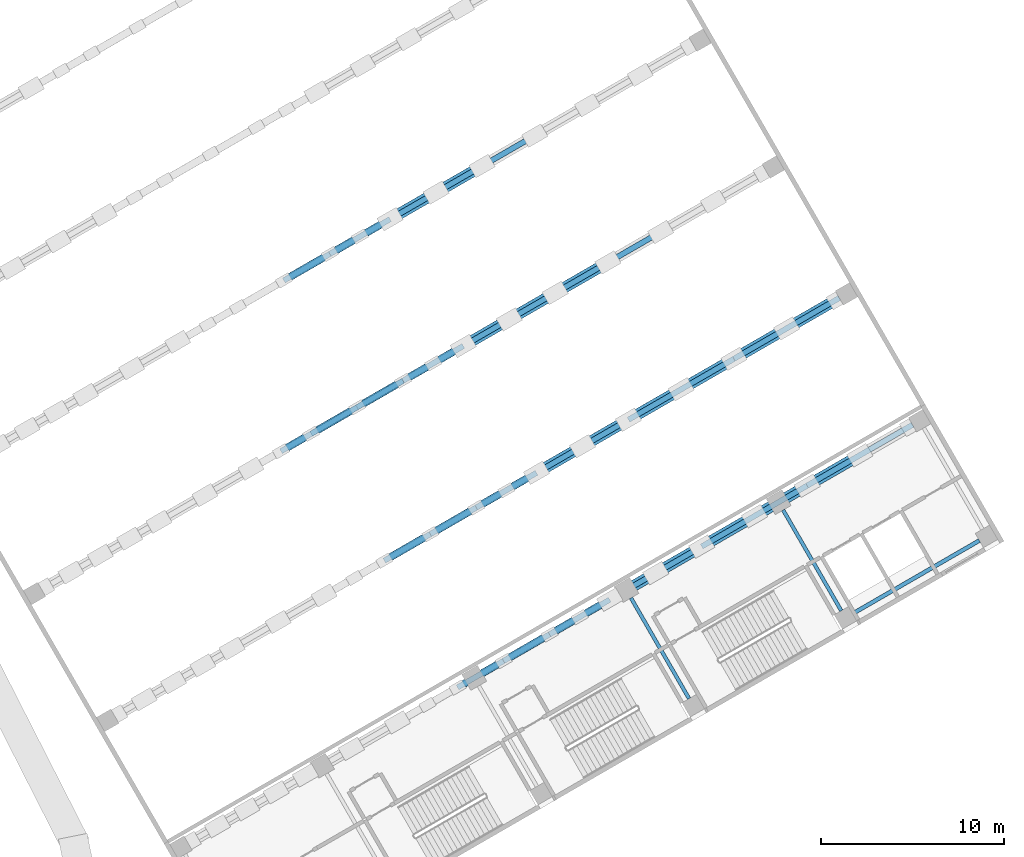
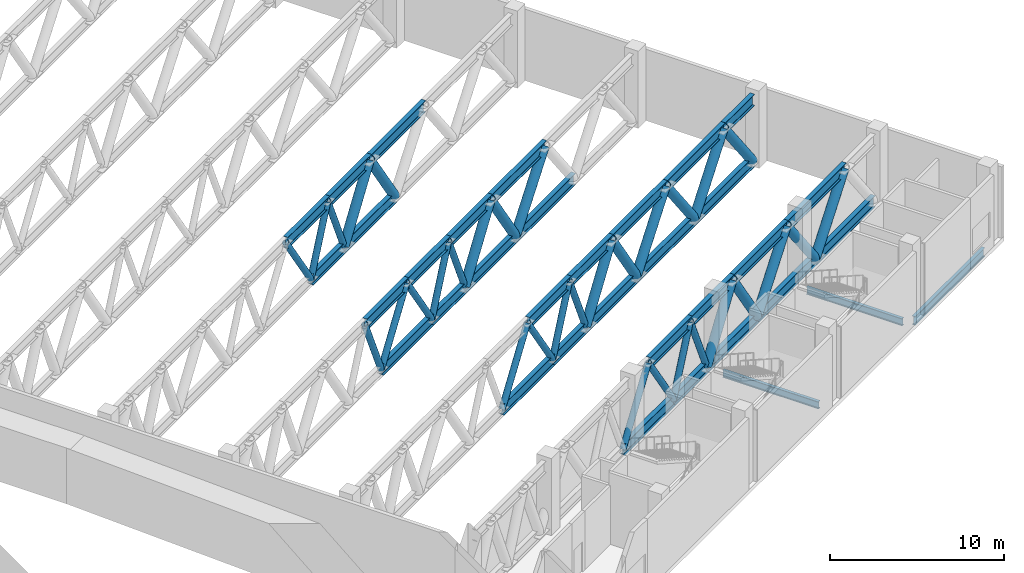
# One storey, part 10 of 37: 64 members, 3 beams.
"""IFC4 building model written with IfcOpenShell, lengths in metres."""

from ifc_helpers import new_model, si_unit, direction, frame, origin, origin_2d, place, context, subcontext, project, spatial, hollow_circle, i_section, extrude, material, material_profile, profile_set, type_object, element, save


model = new_model("IFC4")

# Units and contexts
model_context = context("Model", 3, precision=1e-05, world=origin(), true_north=direction((0.0, 1.0)))
body_context = subcontext(model_context, "Body", "Model", "MODEL_VIEW")
ifc_project = project(units=[si_unit("LENGTHUNIT", "METRE"), si_unit("AREAUNIT", "SQUARE_METRE"), si_unit("VOLUMEUNIT", "CUBIC_METRE"), si_unit("PLANEANGLEUNIT", "RADIAN"), si_unit("MASSUNIT", "GRAM", prefix="KILO")], contexts=[model_context])

# Site, building, storey
site_placement = place(None, origin())
site = spatial("IfcSite", under=ifc_project, at=site_placement, CompositionType="ELEMENT")
building_placement = place(site_placement, origin())
building = spatial("IfcBuilding", under=site, at=building_placement, Name="Mestral Congress Tower", CompositionType="ELEMENT")
storey_placement = place(building_placement, frame((0.0, 0.0, 16.199951171875)))
storey = spatial("IfcBuildingStorey", under=building, at=storey_placement, Name="L03", CompositionType="ELEMENT", Elevation=16.199951171875)

# Beams
ifc_material = material(Name="Steel S355", Category="steel")
ifc_material_profile_1 = material_profile(ifc_material, i_section(OverallWidth=0.199951171875, OverallDepth=0.5, WebThickness=0.01025390625, FlangeThickness=0.01611328125, FilletRadius=0.02099609375, at=origin_2d()), Name="IPE 500")
ifc_profile_set_1 = profile_set([ifc_material_profile_1], Name="Steel S355")
beam_type_1 = type_object("IfcBeamType", Name="Floor beam IPE 500 S355", PredefinedType="BEAM", material=ifc_profile_set_1)
beam_1_placement = place(storey_placement, frame((66.82080078125, -6.281005859375, -0.550048828125), z_axis=(-0.500005339912, 0.866022320763, 0.0), x_axis=(-0.866022320763, -0.500005339912, 0.0)))
element("IfcBeam", 1, at=beam_1_placement, inside=storey, type_object=beam_type_1, Name="BM-L03-E-U01D", PredefinedType="BEAM", context=body_context, shape_type="SweptSolid", body=[
    extrude(i_section(OverallWidth=0.199951171875, OverallDepth=0.5, WebThickness=0.01025390625, FlangeThickness=0.01611328125, FilletRadius=0.02099609375, at=origin_2d()), origin(), (0.0, 0.0, 1.0), 6.35009765625),
])
beam_2_placement = place(storey_placement, frame((75.134765625, -1.481201171875, -0.550048828125), z_axis=(-0.499988692146, 0.866031932279, 0.0), x_axis=(-0.866031932279, -0.499988692146, 0.0)))
element("IfcBeam", 2, at=beam_2_placement, inside=storey, type_object=beam_type_1, Name="BM-L03-E-U01E", PredefinedType="BEAM", context=body_context, shape_type="SweptSolid", body=[
    extrude(i_section(OverallWidth=0.199951171875, OverallDepth=0.5, WebThickness=0.01025390625, FlangeThickness=0.01611328125, FilletRadius=0.02099609375, at=origin_2d()), origin(), (0.0, 0.0, 1.0), 6.350341796875),
])
ifc_material_profile_2 = material_profile(ifc_material, i_section(OverallWidth=0.219970703125, OverallDepth=0.60009765625, WebThickness=0.011962890625, FlangeThickness=0.01904296875, FilletRadius=0.02392578125, at=origin_2d()), Name="IPE 600")
ifc_profile_set_2 = profile_set([ifc_material_profile_2], Name="Steel S355")
beam_type_2 = type_object("IfcBeamType", Name="Floor beam IPE 600 S355", PredefinedType="BEAM", material=ifc_profile_set_2)
beam_3_placement = place(storey_placement, frame((75.74951171875, -1.645751953125, -0.599853515625), z_axis=(0.866018381195, 0.500012163284, 0.0), x_axis=(-0.500012163284, 0.866018381195, 0.0)))
element("IfcBeam", 3, at=beam_3_placement, inside=storey, type_object=beam_type_2, Name="BM-L03-E-V01E", PredefinedType="BEAM", context=body_context, shape_type="SweptSolid", body=[
    extrude(i_section(OverallWidth=0.219970703125, OverallDepth=0.60009765625, WebThickness=0.011962890625, FlangeThickness=0.01904296875, FilletRadius=0.02392578125, at=origin_2d()), origin(), (0.0, 0.0, 1.0), 7.999755859375),
])

# Members
ifc_material_profile_3 = material_profile(ifc_material, i_section(OverallWidth=0.300048828125, OverallDepth=0.800048828125, WebThickness=0.017578125, FlangeThickness=0.032958984375, FilletRadius=0.030029296875, at=origin_2d()), Name="HEB 800")
ifc_profile_set_3 = profile_set([ifc_material_profile_3], Name="Steel S355")
member_type_1 = type_object("IfcMemberType", Name="Truss chord HEB 800 S355", PredefinedType="CHORD", material=ifc_profile_set_3)
member_1_placement = place(storey_placement, frame((54.172607421875, -5.673828125, 0.400146484375), z_axis=(0.86601454848, 0.500018801468, 0.0), x_axis=(-0.500018801468, 0.86601454848, 0.0)))
element("IfcMember", 4, at=member_1_placement, inside=storey, type_object=member_type_1, Name="MB-E-T1-BC05", PredefinedType="CHORD", context=body_context, shape_type="SweptSolid", body=[
    extrude(i_section(OverallWidth=0.300048828125, OverallDepth=0.800048828125, WebThickness=0.017578125, FlangeThickness=0.032958984375, FilletRadius=0.030029296875, at=origin_2d()), origin(), (0.0, 0.0, 1.0), 5.800048828125),
])
member_2_placement = place(storey_placement, frame((59.195556640625, -2.773681640625, 0.400146484375), z_axis=(0.866044365799, 0.499967155389, 0.0), x_axis=(-0.499967155389, 0.866044365799, 0.0)))
element("IfcMember", 5, at=member_2_placement, inside=storey, type_object=member_type_1, Name="MB-E-T1-BC06", PredefinedType="CHORD", context=body_context, shape_type="SweptSolid", body=[
    extrude(i_section(OverallWidth=0.300048828125, OverallDepth=0.800048828125, WebThickness=0.017578125, FlangeThickness=0.032958984375, FilletRadius=0.030029296875, at=origin_2d()), origin(), (0.0, 0.0, 1.0), 3.800048828125),
])
member_3_placement = place(storey_placement, frame((62.486572265625, -0.873779296875, 0.400146484375), z_axis=(0.866032775405, 0.499987231761, 0.0), x_axis=(-0.499987231761, 0.866032775405, 0.0)))
element("IfcMember", 6, at=member_3_placement, inside=storey, type_object=member_type_1, Name="MB-E-T1-BC07", PredefinedType="CHORD", context=body_context, shape_type="SweptSolid", body=[
    extrude(i_section(OverallWidth=0.300048828125, OverallDepth=0.800048828125, WebThickness=0.017578125, FlangeThickness=0.032958984375, FilletRadius=0.030029296875, at=origin_2d()), origin(), (0.0, 0.0, 1.0), 5.800048828125),
])
member_4_placement = place(storey_placement, frame((67.509521484375, 2.026123046875, 0.400146484375), z_axis=(0.86601134256, 0.500024353964, 0.0), x_axis=(-0.500024353964, 0.86601134256, 0.0)))
element("IfcMember", 7, at=member_4_placement, inside=storey, type_object=member_type_1, Name="MB-E-T1-BC08", PredefinedType="CHORD", context=body_context, shape_type="SweptSolid", body=[
    extrude(i_section(OverallWidth=0.300048828125, OverallDepth=0.800048828125, WebThickness=0.017578125, FlangeThickness=0.032958984375, FilletRadius=0.030029296875, at=origin_2d()), origin(), (0.0, 0.0, 1.0), 6.650146484375),
])
member_5_placement = place(storey_placement, frame((73.2685546875, 5.351318359375, 0.400146484375), z_axis=(0.866027239912, 0.49999681972, 0.0), x_axis=(-0.49999681972, 0.866027239912, 0.0)))
element("IfcMember", 8, at=member_5_placement, inside=storey, type_object=member_type_1, Name="MB-E-T1-BC09", PredefinedType="CHORD", context=body_context, shape_type="SweptSolid", body=[
    extrude(i_section(OverallWidth=0.300048828125, OverallDepth=0.800048828125, WebThickness=0.017578125, FlangeThickness=0.032958984375, FilletRadius=0.030029296875, at=origin_2d()), origin(), (0.0, 0.0, 1.0), 6.64990234375),
])
for number, where, z_axis, x_axis, name in (
    (9, (56.68408203125, -4.223876953125, 4.699951171875), (0.866015339567, 0.500017431331, 0.0), (-0.500017431331, 0.866015339567, 0.0), "MB-E-T1-TC06"),
    (10, (60.841064453125, -1.82373046875, 4.699951171875), (0.866037363387, 0.499979284789, 0.0), (-0.499979284789, 0.866037363387, 0.0), "MB-E-T1-TC07"),
):
    element("IfcMember", number, at=place(storey_placement, frame(where, z_axis=z_axis, x_axis=x_axis)), inside=storey, type_object=member_type_1, Name=name, PredefinedType="CHORD", context=body_context, shape_type="SweptSolid", body=[
        extrude(i_section(OverallWidth=0.300048828125, OverallDepth=0.800048828125, WebThickness=0.017578125, FlangeThickness=0.032958984375, FilletRadius=0.030029296875, at=origin_2d()), origin(), (0.0, 0.0, 1.0), 4.800048828125),
    ])
member_6_placement = place(storey_placement, frame((64.998046875, 0.576171875, 4.699951171875), z_axis=(0.866016424762, 0.5000155518, 0.0), x_axis=(-0.5000155518, 0.866016424762, 0.0)))
element("IfcMember", 11, at=member_6_placement, inside=storey, type_object=member_type_1, Name="MB-E-T1-TC08", PredefinedType="CHORD", context=body_context, shape_type="SweptSolid", body=[
    extrude(i_section(OverallWidth=0.300048828125, OverallDepth=0.800048828125, WebThickness=0.017578125, FlangeThickness=0.032958984375, FilletRadius=0.030029296875, at=origin_2d()), origin(), (0.0, 0.0, 1.0), 6.224853515625),
])
member_7_placement = place(storey_placement, frame((70.388916015625, 3.688720703125, 4.699951171875), z_axis=(0.866036417653, 0.499980922934, 0.0), x_axis=(-0.499980922934, 0.866036417653, 0.0)))
element("IfcMember", 12, at=member_7_placement, inside=storey, type_object=member_type_1, Name="MB-E-T1-TC09", PredefinedType="CHORD", context=body_context, shape_type="SweptSolid", body=[
    extrude(i_section(OverallWidth=0.300048828125, OverallDepth=0.800048828125, WebThickness=0.017578125, FlangeThickness=0.032958984375, FilletRadius=0.030029296875, at=origin_2d()), origin(), (0.0, 0.0, 1.0), 6.650146484375),
])
member_8_placement = place(storey_placement, frame((50.172607421875, 1.25439453125, 0.400146484375), z_axis=(0.866032775405, 0.499987231761, 0.0), x_axis=(-0.499987231761, 0.866032775405, 0.0)))
element("IfcMember", 13, at=member_8_placement, inside=storey, type_object=member_type_1, Name="MB-E-T2-BC05", PredefinedType="CHORD", context=body_context, shape_type="SweptSolid", body=[
    extrude(i_section(OverallWidth=0.300048828125, OverallDepth=0.800048828125, WebThickness=0.017578125, FlangeThickness=0.032958984375, FilletRadius=0.030029296875, at=origin_2d()), origin(), (0.0, 0.0, 1.0), 5.800048828125),
])
member_9_placement = place(storey_placement, frame((55.195556640625, 4.154296875, 0.400146484375), z_axis=(0.86601654697, 0.500015340139, 0.0), x_axis=(-0.500015340139, 0.86601654697, 0.0)))
element("IfcMember", 14, at=member_9_placement, inside=storey, type_object=member_type_1, Name="MB-E-T2-BC06", PredefinedType="CHORD", context=body_context, shape_type="SweptSolid", body=[
    extrude(i_section(OverallWidth=0.300048828125, OverallDepth=0.800048828125, WebThickness=0.017578125, FlangeThickness=0.032958984375, FilletRadius=0.030029296875, at=origin_2d()), origin(), (0.0, 0.0, 1.0), 3.80029296875),
])
member_10_placement = place(storey_placement, frame((58.486572265625, 6.054443359375, 0.400146484375), z_axis=(0.866032775405, 0.499987231761, 0.0), x_axis=(-0.499987231761, 0.866032775405, 0.0)))
element("IfcMember", 15, at=member_10_placement, inside=storey, type_object=member_type_1, Name="MB-E-T2-BC07", PredefinedType="CHORD", context=body_context, shape_type="SweptSolid", body=[
    extrude(i_section(OverallWidth=0.300048828125, OverallDepth=0.800048828125, WebThickness=0.017578125, FlangeThickness=0.032958984375, FilletRadius=0.030029296875, at=origin_2d()), origin(), (0.0, 0.0, 1.0), 5.800048828125),
])
member_11_placement = place(storey_placement, frame((63.509521484375, 8.954345703125, 0.400146484375), z_axis=(0.866027239912, 0.49999681972, 0.0), x_axis=(-0.49999681972, 0.866027239912, 0.0)))
element("IfcMember", 16, at=member_11_placement, inside=storey, type_object=member_type_1, Name="MB-E-T2-BC08", PredefinedType="CHORD", context=body_context, shape_type="SweptSolid", body=[
    extrude(i_section(OverallWidth=0.300048828125, OverallDepth=0.800048828125, WebThickness=0.017578125, FlangeThickness=0.032958984375, FilletRadius=0.030029296875, at=origin_2d()), origin(), (0.0, 0.0, 1.0), 6.64990234375),
])
member_12_placement = place(storey_placement, frame((69.2685546875, 12.279296875, 0.400146484375), z_axis=(0.86601134256, 0.500024353964, 0.0), x_axis=(-0.500024353964, 0.86601134256, 0.0)))
element("IfcMember", 17, at=member_12_placement, inside=storey, type_object=member_type_1, Name="MB-E-T2-BC09", PredefinedType="CHORD", context=body_context, shape_type="SweptSolid", body=[
    extrude(i_section(OverallWidth=0.300048828125, OverallDepth=0.800048828125, WebThickness=0.017578125, FlangeThickness=0.032958984375, FilletRadius=0.030029296875, at=origin_2d()), origin(), (0.0, 0.0, 1.0), 6.650146484375),
])
for number, where, z_axis, x_axis, name in (
    (18, (52.68408203125, 2.704345703125, 4.699951171875), (0.866015339567, 0.500017431331, 0.0), (-0.500017431331, 0.866015339567, 0.0), "MB-E-T2-TC06"),
    (19, (56.841064453125, 5.1044921875, 4.699951171875), (0.866037363387, 0.499979284789, 0.0), (-0.499979284789, 0.866037363387, 0.0), "MB-E-T2-TC07"),
):
    element("IfcMember", number, at=place(storey_placement, frame(where, z_axis=z_axis, x_axis=x_axis)), inside=storey, type_object=member_type_1, Name=name, PredefinedType="CHORD", context=body_context, shape_type="SweptSolid", body=[
        extrude(i_section(OverallWidth=0.300048828125, OverallDepth=0.800048828125, WebThickness=0.017578125, FlangeThickness=0.032958984375, FilletRadius=0.030029296875, at=origin_2d()), origin(), (0.0, 0.0, 1.0), 4.800048828125),
    ])
member_13_placement = place(storey_placement, frame((60.998046875, 7.50439453125, 4.699951171875), z_axis=(0.866016424762, 0.5000155518, 0.0), x_axis=(-0.5000155518, 0.866016424762, 0.0)))
element("IfcMember", 20, at=member_13_placement, inside=storey, type_object=member_type_1, Name="MB-E-T2-TC08", PredefinedType="CHORD", context=body_context, shape_type="SweptSolid", body=[
    extrude(i_section(OverallWidth=0.300048828125, OverallDepth=0.800048828125, WebThickness=0.017578125, FlangeThickness=0.032958984375, FilletRadius=0.030029296875, at=origin_2d()), origin(), (0.0, 0.0, 1.0), 6.224853515625),
])
member_14_placement = place(storey_placement, frame((66.388916015625, 10.616943359375, 4.699951171875), z_axis=(0.866036417653, 0.499980922934, 0.0), x_axis=(-0.499980922934, 0.866036417653, 0.0)))
element("IfcMember", 21, at=member_14_placement, inside=storey, type_object=member_type_1, Name="MB-E-T2-TC09", PredefinedType="CHORD", context=body_context, shape_type="SweptSolid", body=[
    extrude(i_section(OverallWidth=0.300048828125, OverallDepth=0.800048828125, WebThickness=0.017578125, FlangeThickness=0.032958984375, FilletRadius=0.030029296875, at=origin_2d()), origin(), (0.0, 0.0, 1.0), 6.650146484375),
])
member_15_placement = place(storey_placement, frame((72.148193359375, 13.94189453125, 4.699951171875), z_axis=(0.866002163101, 0.500040251884, 0.0), x_axis=(-0.500040251884, 0.866002163101, 0.0)))
element("IfcMember", 22, at=member_15_placement, inside=storey, type_object=member_type_1, Name="MB-E-T2-TC10", PredefinedType="CHORD", context=body_context, shape_type="SweptSolid", body=[
    extrude(i_section(OverallWidth=0.300048828125, OverallDepth=0.800048828125, WebThickness=0.017578125, FlangeThickness=0.032958984375, FilletRadius=0.030029296875, at=origin_2d()), origin(), (0.0, 0.0, 1.0), 3.324951171875),
])
member_16_placement = place(storey_placement, frame((46.172607421875, 8.1826171875, 0.400146484375), z_axis=(0.866032775405, 0.499987231761, 0.0), x_axis=(-0.499987231761, 0.866032775405, 0.0)))
element("IfcMember", 23, at=member_16_placement, inside=storey, type_object=member_type_1, Name="MB-E-T3-BC05", PredefinedType="CHORD", context=body_context, shape_type="SweptSolid", body=[
    extrude(i_section(OverallWidth=0.300048828125, OverallDepth=0.800048828125, WebThickness=0.017578125, FlangeThickness=0.032958984375, FilletRadius=0.030029296875, at=origin_2d()), origin(), (0.0, 0.0, 1.0), 5.800048828125),
])
member_17_placement = place(storey_placement, frame((51.195556640625, 11.08251953125, 0.400146484375), z_axis=(0.86601654697, 0.500015340139, 0.0), x_axis=(-0.500015340139, 0.86601654697, 0.0)))
element("IfcMember", 24, at=member_17_placement, inside=storey, type_object=member_type_1, Name="MB-E-T3-BC06", PredefinedType="CHORD", context=body_context, shape_type="SweptSolid", body=[
    extrude(i_section(OverallWidth=0.300048828125, OverallDepth=0.800048828125, WebThickness=0.017578125, FlangeThickness=0.032958984375, FilletRadius=0.030029296875, at=origin_2d()), origin(), (0.0, 0.0, 1.0), 3.80029296875),
])
member_18_placement = place(storey_placement, frame((54.486572265625, 12.982666015625, 0.400146484375), z_axis=(0.866032775405, 0.499987231761, 0.0), x_axis=(-0.499987231761, 0.866032775405, 0.0)))
element("IfcMember", 25, at=member_18_placement, inside=storey, type_object=member_type_1, Name="MB-E-T3-BC07", PredefinedType="CHORD", context=body_context, shape_type="SweptSolid", body=[
    extrude(i_section(OverallWidth=0.300048828125, OverallDepth=0.800048828125, WebThickness=0.017578125, FlangeThickness=0.032958984375, FilletRadius=0.030029296875, at=origin_2d()), origin(), (0.0, 0.0, 1.0), 5.800048828125),
])
member_19_placement = place(storey_placement, frame((59.509521484375, 15.882568359375, 0.400146484375), z_axis=(0.866027239912, 0.49999681972, 0.0), x_axis=(-0.49999681972, 0.866027239912, 0.0)))
element("IfcMember", 26, at=member_19_placement, inside=storey, type_object=member_type_1, Name="MB-E-T3-BC08", PredefinedType="CHORD", context=body_context, shape_type="SweptSolid", body=[
    extrude(i_section(OverallWidth=0.300048828125, OverallDepth=0.800048828125, WebThickness=0.017578125, FlangeThickness=0.032958984375, FilletRadius=0.030029296875, at=origin_2d()), origin(), (0.0, 0.0, 1.0), 6.64990234375),
])
for number, where, z_axis, x_axis, name in (
    (27, (44.527099609375, 7.232666015625, 4.699951171875), (0.866037363387, 0.499979284789, 0.0), (-0.499979284789, 0.866037363387, 0.0), "MB-E-T3-TC05"),
    (28, (48.68408203125, 9.632568359375, 4.699951171875), (0.866015339567, 0.500017431331, 0.0), (-0.500017431331, 0.866015339567, 0.0), "MB-E-T3-TC06"),
    (29, (52.841064453125, 12.03271484375, 4.699951171875), (0.866037363387, 0.499979284789, 0.0), (-0.499979284789, 0.866037363387, 0.0), "MB-E-T3-TC07"),
):
    element("IfcMember", number, at=place(storey_placement, frame(where, z_axis=z_axis, x_axis=x_axis)), inside=storey, type_object=member_type_1, Name=name, PredefinedType="CHORD", context=body_context, shape_type="SweptSolid", body=[
        extrude(i_section(OverallWidth=0.300048828125, OverallDepth=0.800048828125, WebThickness=0.017578125, FlangeThickness=0.032958984375, FilletRadius=0.030029296875, at=origin_2d()), origin(), (0.0, 0.0, 1.0), 4.800048828125),
    ])
member_20_placement = place(storey_placement, frame((56.998046875, 14.4326171875, 4.699951171875), z_axis=(0.866016424762, 0.5000155518, 0.0), x_axis=(-0.5000155518, 0.866016424762, 0.0)))
element("IfcMember", 30, at=member_20_placement, inside=storey, type_object=member_type_1, Name="MB-E-T3-TC08", PredefinedType="CHORD", context=body_context, shape_type="SweptSolid", body=[
    extrude(i_section(OverallWidth=0.300048828125, OverallDepth=0.800048828125, WebThickness=0.017578125, FlangeThickness=0.032958984375, FilletRadius=0.030029296875, at=origin_2d()), origin(), (0.0, 0.0, 1.0), 6.224853515625),
])
member_21_placement = place(storey_placement, frame((47.195556640625, 18.0107421875, 0.400146484375), z_axis=(0.86601654697, 0.500015340139, 0.0), x_axis=(-0.500015340139, 0.86601654697, 0.0)))
element("IfcMember", 31, at=member_21_placement, inside=storey, type_object=member_type_1, Name="MB-E-T4-BC06", PredefinedType="CHORD", context=body_context, shape_type="SweptSolid", body=[
    extrude(i_section(OverallWidth=0.300048828125, OverallDepth=0.800048828125, WebThickness=0.017578125, FlangeThickness=0.032958984375, FilletRadius=0.030029296875, at=origin_2d()), origin(), (0.0, 0.0, 1.0), 3.80029296875),
])
member_22_placement = place(storey_placement, frame((50.486572265625, 19.910888671875, 0.400146484375), z_axis=(0.866032775405, 0.499987231761, 0.0), x_axis=(-0.499987231761, 0.866032775405, 0.0)))
element("IfcMember", 32, at=member_22_placement, inside=storey, type_object=member_type_1, Name="MB-E-T4-BC07", PredefinedType="CHORD", context=body_context, shape_type="SweptSolid", body=[
    extrude(i_section(OverallWidth=0.300048828125, OverallDepth=0.800048828125, WebThickness=0.017578125, FlangeThickness=0.032958984375, FilletRadius=0.030029296875, at=origin_2d()), origin(), (0.0, 0.0, 1.0), 5.800048828125),
])
for number, where, z_axis, x_axis, name in (
    (33, (44.68408203125, 16.560791015625, 4.699951171875), (0.866037363387, 0.499979284789, 0.0), (-0.499979284789, 0.866037363387, 0.0), "MB-E-T4-TC06"),
    (34, (48.841064453125, 18.960693359375, 4.699951171875), (0.866015339567, 0.500017431331, 0.0), (-0.500017431331, 0.866015339567, 0.0), "MB-E-T4-TC07"),
):
    element("IfcMember", number, at=place(storey_placement, frame(where, z_axis=z_axis, x_axis=x_axis)), inside=storey, type_object=member_type_1, Name=name, PredefinedType="CHORD", context=body_context, shape_type="SweptSolid", body=[
        extrude(i_section(OverallWidth=0.300048828125, OverallDepth=0.800048828125, WebThickness=0.017578125, FlangeThickness=0.032958984375, FilletRadius=0.030029296875, at=origin_2d()), origin(), (0.0, 0.0, 1.0), 4.800048828125),
    ])
member_23_placement = place(storey_placement, frame((52.998046875, 21.36083984375, 4.699951171875), z_axis=(0.866016424762, 0.5000155518, 0.0), x_axis=(-0.5000155518, 0.866016424762, 0.0)))
element("IfcMember", 35, at=member_23_placement, inside=storey, type_object=member_type_1, Name="MB-E-T4-TC08", PredefinedType="CHORD", context=body_context, shape_type="SweptSolid", body=[
    extrude(i_section(OverallWidth=0.300048828125, OverallDepth=0.800048828125, WebThickness=0.017578125, FlangeThickness=0.032958984375, FilletRadius=0.030029296875, at=origin_2d()), origin(), (0.0, 0.0, 1.0), 6.224853515625),
])
ifc_material_profile_4 = material_profile(ifc_material, hollow_circle(Radius=0.203125, WallThickness=0.01611328125, at=origin_2d()), Name="CHS 406.4x16")
ifc_profile_set_4 = profile_set([ifc_material_profile_4], Name="Steel S355")
member_type_2 = type_object("IfcMemberType", Name="Truss diagonal CHS 406.4x16 S355", PredefinedType="BRACE", material=ifc_profile_set_4)
member_24_placement = place(storey_placement, frame((54.172607421875, -5.673828125, 0.400146484375), z_axis=(0.484247420666, 0.279570859467, 0.829062464544), x_axis=(-0.499987231761, 0.866032775405, 0.0)))
element("IfcMember", 36, at=member_24_placement, inside=storey, type_object=member_type_2, Name="MB-E-T1-D09", PredefinedType="BRACE", context=body_context, shape_type="SweptSolid", body=[
    extrude(hollow_circle(Radius=0.203125, WallThickness=0.01611328125, at=origin_2d()), origin(), (0.0, 0.0, 1.0), 5.186279296875),
])
member_25_placement = place(storey_placement, frame((56.68408203125, -4.223876953125, 4.699951171875), z_axis=(0.484241047345, 0.27961425306, -0.829051553012), x_axis=(-0.50005036918, 0.865996321171, 0.0)))
element("IfcMember", 37, at=member_25_placement, inside=storey, type_object=member_type_2, Name="MB-E-T1-D10", PredefinedType="BRACE", context=body_context, shape_type="SweptSolid", body=[
    extrude(hollow_circle(Radius=0.203125, WallThickness=0.01611328125, at=origin_2d()), origin(), (0.0, 0.0, 1.0), 5.1865234375),
])
for number, where, z_axis, x_axis, name in (
    (38, (59.195556640625, -2.773681640625, 0.400146484375), (0.350041311257, 0.202078745119, 0.914677681582), (-0.499967155389, 0.866044365799, 0.0), "MB-E-T1-D11"),
    (39, (60.841064453125, -1.82373046875, 4.699951171875), (0.350041311257, 0.202078745119, -0.914677681582), (-0.499967155389, 0.866044365799, 0.0), "MB-E-T1-D12"),
):
    element("IfcMember", number, at=place(storey_placement, frame(where, z_axis=z_axis, x_axis=x_axis)), inside=storey, type_object=member_type_2, Name=name, PredefinedType="BRACE", context=body_context, shape_type="SweptSolid", body=[
        extrude(hollow_circle(Radius=0.203125, WallThickness=0.01611328125, at=origin_2d()), origin(), (0.0, 0.0, 1.0), 4.700927734375),
    ])
for number, where, z_axis, x_axis, name in (
    (40, (50.172607421875, 1.25439453125, 0.400146484375), (0.484247420666, 0.279570859467, 0.829062464544), (-0.499987231761, 0.866032775405, 0.0), "MB-E-T2-D09"),
    (41, (52.68408203125, 2.704345703125, 4.699951171875), (0.484247420666, 0.279570859467, -0.829062464544), (-0.499987231761, 0.866032775405, 0.0), "MB-E-T2-D10"),
):
    element("IfcMember", number, at=place(storey_placement, frame(where, z_axis=z_axis, x_axis=x_axis)), inside=storey, type_object=member_type_2, Name=name, PredefinedType="BRACE", context=body_context, shape_type="SweptSolid", body=[
        extrude(hollow_circle(Radius=0.203125, WallThickness=0.01611328125, at=origin_2d()), origin(), (0.0, 0.0, 1.0), 5.186279296875),
    ])
for number, where, z_axis, x_axis, name in (
    (42, (55.195556640625, 4.154296875, 0.400146484375), (0.35003763718, 0.202128558443, 0.914668081011), (-0.500063520245, 0.865988727248, 0.0), "MB-E-T2-D11"),
    (43, (56.841064453125, 5.1044921875, 4.699951171875), (0.350041311257, 0.202078745119, -0.914677681582), (-0.499967155389, 0.866044365799, 0.0), "MB-E-T2-D12"),
    (44, (44.527099609375, 7.232666015625, 4.699951171875), (0.350041311257, 0.202078745119, -0.914677681582), (-0.499967155389, 0.866044365799, 0.0), "MB-E-T3-D08"),
):
    element("IfcMember", number, at=place(storey_placement, frame(where, z_axis=z_axis, x_axis=x_axis)), inside=storey, type_object=member_type_2, Name=name, PredefinedType="BRACE", context=body_context, shape_type="SweptSolid", body=[
        extrude(hollow_circle(Radius=0.203125, WallThickness=0.01611328125, at=origin_2d()), origin(), (0.0, 0.0, 1.0), 4.700927734375),
    ])
for number, where, z_axis, x_axis, name in (
    (45, (46.172607421875, 8.1826171875, 0.400146484375), (0.484247420666, 0.279570859467, 0.829062464544), (-0.499987231761, 0.866032775405, 0.0), "MB-E-T3-D09"),
    (46, (48.68408203125, 9.632568359375, 4.699951171875), (0.484247420666, 0.279570859467, -0.829062464544), (-0.499987231761, 0.866032775405, 0.0), "MB-E-T3-D10"),
):
    element("IfcMember", number, at=place(storey_placement, frame(where, z_axis=z_axis, x_axis=x_axis)), inside=storey, type_object=member_type_2, Name=name, PredefinedType="BRACE", context=body_context, shape_type="SweptSolid", body=[
        extrude(hollow_circle(Radius=0.203125, WallThickness=0.01611328125, at=origin_2d()), origin(), (0.0, 0.0, 1.0), 5.186279296875),
    ])
for number, where, z_axis, x_axis, name in (
    (47, (51.195556640625, 11.08251953125, 0.400146484375), (0.35003763718, 0.202128558443, 0.914668081011), (-0.500063520245, 0.865988727248, 0.0), "MB-E-T3-D11"),
    (48, (52.841064453125, 12.03271484375, 4.699951171875), (0.350041311257, 0.202078745119, -0.914677681582), (-0.499967155389, 0.866044365799, 0.0), "MB-E-T3-D12"),
):
    element("IfcMember", number, at=place(storey_placement, frame(where, z_axis=z_axis, x_axis=x_axis)), inside=storey, type_object=member_type_2, Name=name, PredefinedType="BRACE", context=body_context, shape_type="SweptSolid", body=[
        extrude(hollow_circle(Radius=0.203125, WallThickness=0.01611328125, at=origin_2d()), origin(), (0.0, 0.0, 1.0), 4.700927734375),
    ])
member_26_placement = place(storey_placement, frame((44.68408203125, 16.560791015625, 4.699951171875), z_axis=(0.484247420666, 0.279570859467, -0.829062464544), x_axis=(-0.499987231761, 0.866032775405, 0.0)))
element("IfcMember", 49, at=member_26_placement, inside=storey, type_object=member_type_2, Name="MB-E-T4-D10", PredefinedType="BRACE", context=body_context, shape_type="SweptSolid", body=[
    extrude(hollow_circle(Radius=0.203125, WallThickness=0.01611328125, at=origin_2d()), origin(), (0.0, 0.0, 1.0), 5.186279296875),
])
for number, where, z_axis, x_axis, name in (
    (50, (47.195556640625, 18.0107421875, 0.400146484375), (0.350041311257, 0.202078745119, 0.914677681582), (-0.499967155389, 0.866044365799, 0.0), "MB-E-T4-D11"),
    (51, (48.841064453125, 18.960693359375, 4.699951171875), (0.35003763718, 0.202128558443, -0.914668081011), (-0.500063520245, 0.865988727248, 0.0), "MB-E-T4-D12"),
):
    element("IfcMember", number, at=place(storey_placement, frame(where, z_axis=z_axis, x_axis=x_axis)), inside=storey, type_object=member_type_2, Name=name, PredefinedType="BRACE", context=body_context, shape_type="SweptSolid", body=[
        extrude(hollow_circle(Radius=0.203125, WallThickness=0.01611328125, at=origin_2d()), origin(), (0.0, 0.0, 1.0), 4.700927734375),
    ])
ifc_material_profile_5 = material_profile(ifc_material, hollow_circle(Radius=0.304931640625, WallThickness=0.02490234375, at=origin_2d()), Name="CHS 610x25")
ifc_profile_set_5 = profile_set([ifc_material_profile_5], Name="Steel S355")
member_type_3 = type_object("IfcMemberType", Name="Truss diagonal CHS 610x25 S355", PredefinedType="BRACE", material=ifc_profile_set_5)
for number, where, z_axis, x_axis, name in (
    (52, (62.486572265625, -0.873779296875, 0.400146484375), (0.484247420666, 0.279570859467, 0.829062464544), (-0.499987231761, 0.866032775405, 0.0), "MB-E-T1-D13"),
    (53, (64.998046875, 0.576171875, 4.699951171875), (0.484247420666, 0.279570859467, -0.829062464544), (-0.499987231761, 0.866032775405, 0.0), "MB-E-T1-D14"),
):
    element("IfcMember", number, at=place(storey_placement, frame(where, z_axis=z_axis, x_axis=x_axis)), inside=storey, type_object=member_type_3, Name=name, PredefinedType="BRACE", context=body_context, shape_type="SweptSolid", body=[
        extrude(hollow_circle(Radius=0.304931640625, WallThickness=0.02490234375, at=origin_2d()), origin(), (0.0, 0.0, 1.0), 5.186279296875),
    ])
member_27_placement = place(storey_placement, frame((67.509521484375, 2.026123046875, 0.400146484375), z_axis=(0.529749391364, 0.305883784567, 0.791075655477), x_axis=(-0.500040251884, 0.866002163101, 0.0)))
element("IfcMember", 54, at=member_27_placement, inside=storey, type_object=member_type_3, Name="MB-E-T1-D15", PredefinedType="BRACE", context=body_context, shape_type="SweptSolid", body=[
    extrude(hollow_circle(Radius=0.304931640625, WallThickness=0.02490234375, at=origin_2d()), origin(), (0.0, 0.0, 1.0), 5.435302734375),
])
for number, where, z_axis, x_axis, name in (
    (55, (70.388916015625, 3.688720703125, 4.699951171875), (0.52978170185, 0.305876506113, -0.791056831961), (-0.500008456887, 0.866020521143, 0.0), "MB-E-T1-D16"),
    (56, (73.2685546875, 5.351318359375, 0.400146484375), (0.529788979969, 0.305835791828, 0.791067699467), (-0.499953387465, 0.866052313871, 0.0), "MB-E-T1-D17"),
):
    element("IfcMember", number, at=place(storey_placement, frame(where, z_axis=z_axis, x_axis=x_axis)), inside=storey, type_object=member_type_3, Name=name, PredefinedType="BRACE", context=body_context, shape_type="SweptSolid", body=[
        extrude(hollow_circle(Radius=0.304931640625, WallThickness=0.02490234375, at=origin_2d()), origin(), (0.0, 0.0, 1.0), 5.435546875),
    ])
for number, where, z_axis, x_axis, name in (
    (57, (58.486572265625, 6.054443359375, 0.400146484375), (0.484247420666, 0.279570859467, 0.829062464544), (-0.499987231761, 0.866032775405, 0.0), "MB-E-T2-D13"),
    (58, (60.998046875, 7.50439453125, 4.699951171875), (0.484247420666, 0.279570859467, -0.829062464544), (-0.499987231761, 0.866032775405, 0.0), "MB-E-T2-D14"),
):
    element("IfcMember", number, at=place(storey_placement, frame(where, z_axis=z_axis, x_axis=x_axis)), inside=storey, type_object=member_type_3, Name=name, PredefinedType="BRACE", context=body_context, shape_type="SweptSolid", body=[
        extrude(hollow_circle(Radius=0.304931640625, WallThickness=0.02490234375, at=origin_2d()), origin(), (0.0, 0.0, 1.0), 5.186279296875),
    ])
member_28_placement = place(storey_placement, frame((63.509521484375, 8.954345703125, 0.400146484375), z_axis=(0.529749391364, 0.305883784567, 0.791075655477), x_axis=(-0.500040251884, 0.866002163101, 0.0)))
element("IfcMember", 59, at=member_28_placement, inside=storey, type_object=member_type_3, Name="MB-E-T2-D15", PredefinedType="BRACE", context=body_context, shape_type="SweptSolid", body=[
    extrude(hollow_circle(Radius=0.304931640625, WallThickness=0.02490234375, at=origin_2d()), origin(), (0.0, 0.0, 1.0), 5.435302734375),
])
for number, where, z_axis, x_axis, name in (
    (60, (66.388916015625, 10.616943359375, 4.699951171875), (0.529788979969, 0.305835791828, -0.791067699467), (-0.499953387465, 0.866052313871, 0.0), "MB-E-T2-D16"),
    (61, (69.2685546875, 12.279296875, 0.400146484375), (0.52978170185, 0.305876506113, 0.791056831961), (-0.500008456887, 0.866020521143, 0.0), "MB-E-T2-D17"),
):
    element("IfcMember", number, at=place(storey_placement, frame(where, z_axis=z_axis, x_axis=x_axis)), inside=storey, type_object=member_type_3, Name=name, PredefinedType="BRACE", context=body_context, shape_type="SweptSolid", body=[
        extrude(hollow_circle(Radius=0.304931640625, WallThickness=0.02490234375, at=origin_2d()), origin(), (0.0, 0.0, 1.0), 5.435546875),
    ])
member_29_placement = place(storey_placement, frame((72.148193359375, 13.94189453125, 4.699951171875), z_axis=(0.529749391364, 0.305883784567, -0.791075655477), x_axis=(-0.500040251884, 0.866002163101, 0.0)))
element("IfcMember", 62, at=member_29_placement, inside=storey, type_object=member_type_3, Name="MB-E-T2-D18", PredefinedType="BRACE", context=body_context, shape_type="SweptSolid", body=[
    extrude(hollow_circle(Radius=0.304931640625, WallThickness=0.02490234375, at=origin_2d()), origin(), (0.0, 0.0, 1.0), 5.435302734375),
])
for number, where, z_axis, x_axis, name in (
    (63, (54.486572265625, 12.982666015625, 0.400146484375), (0.484247420666, 0.279570859467, 0.829062464544), (-0.499987231761, 0.866032775405, 0.0), "MB-E-T3-D13"),
    (64, (56.998046875, 14.4326171875, 4.699951171875), (0.484247420666, 0.279570859467, -0.829062464544), (-0.499987231761, 0.866032775405, 0.0), "MB-E-T3-D14"),
):
    element("IfcMember", number, at=place(storey_placement, frame(where, z_axis=z_axis, x_axis=x_axis)), inside=storey, type_object=member_type_3, Name=name, PredefinedType="BRACE", context=body_context, shape_type="SweptSolid", body=[
        extrude(hollow_circle(Radius=0.304931640625, WallThickness=0.02490234375, at=origin_2d()), origin(), (0.0, 0.0, 1.0), 5.186279296875),
    ])
member_30_placement = place(storey_placement, frame((59.509521484375, 15.882568359375, 0.400146484375), z_axis=(0.529749391364, 0.305883784567, 0.791075655477), x_axis=(-0.500040251884, 0.866002163101, 0.0)))
element("IfcMember", 65, at=member_30_placement, inside=storey, type_object=member_type_3, Name="MB-E-T3-D15", PredefinedType="BRACE", context=body_context, shape_type="SweptSolid", body=[
    extrude(hollow_circle(Radius=0.304931640625, WallThickness=0.02490234375, at=origin_2d()), origin(), (0.0, 0.0, 1.0), 5.435302734375),
])
for number, where, z_axis, x_axis, name in (
    (66, (50.486572265625, 19.910888671875, 0.400146484375), (0.484247420666, 0.279570859467, 0.829062464544), (-0.499987231761, 0.866032775405, 0.0), "MB-E-T4-D13"),
    (67, (52.998046875, 21.36083984375, 4.699951171875), (0.484247420666, 0.279570859467, -0.829062464544), (-0.499987231761, 0.866032775405, 0.0), "MB-E-T4-D14"),
):
    element("IfcMember", number, at=place(storey_placement, frame(where, z_axis=z_axis, x_axis=x_axis)), inside=storey, type_object=member_type_3, Name=name, PredefinedType="BRACE", context=body_context, shape_type="SweptSolid", body=[
        extrude(hollow_circle(Radius=0.304931640625, WallThickness=0.02490234375, at=origin_2d()), origin(), (0.0, 0.0, 1.0), 5.186279296875),
    ])

save(model, "model.ifc")
